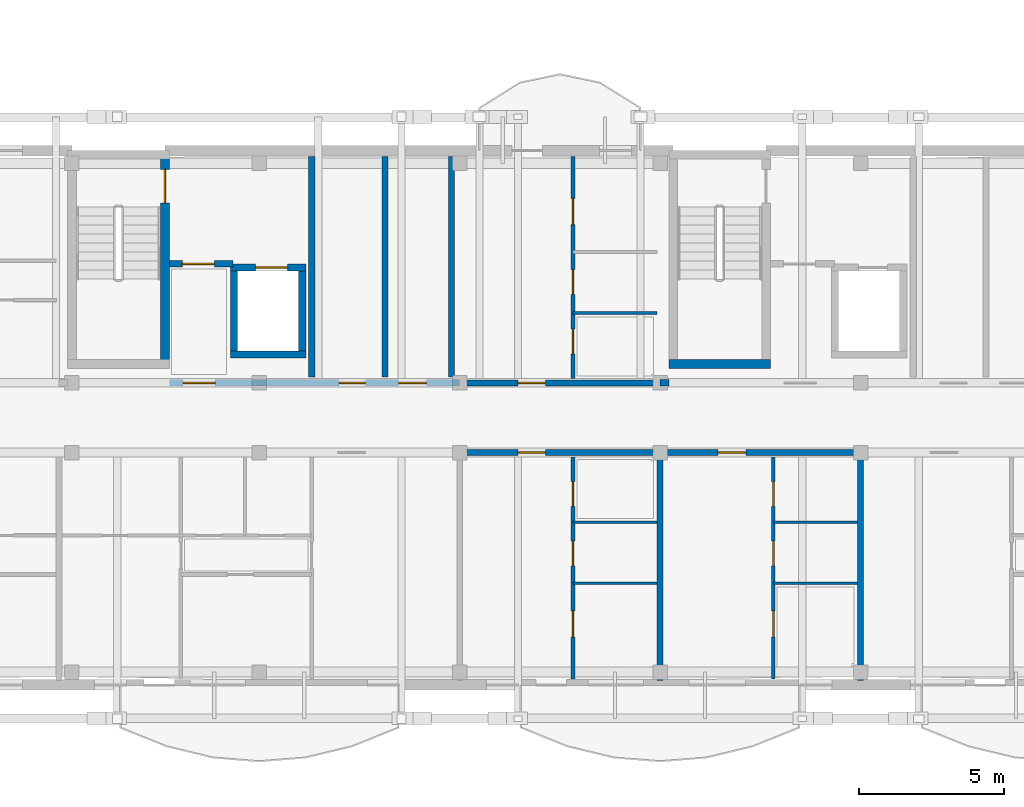
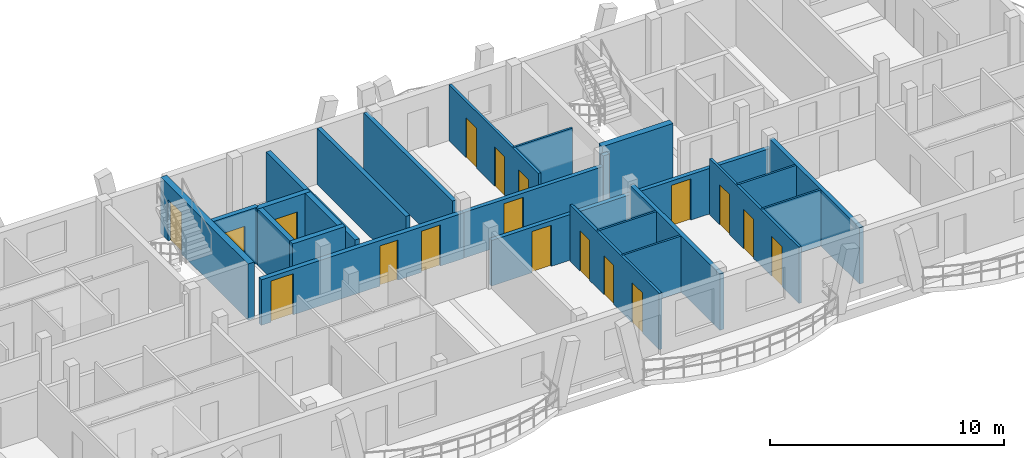
# One storey, part 31 of 50: 25 walls, 18 doors, 18 openings.
"""IFC4 building model written with IfcOpenShell, lengths in metres."""

from ifc_helpers import new_model, si_unit, direction, frame, frame_2d, origin, origin_with_axes, place, context, subcontext, project, spatial, rectangle, extrude, material, layer, layer_set, type_object, element, fill, save


model = new_model("IFC4")

# Units and contexts
model_context = context("Model", 3, precision=1e-05, world=origin(), true_north=direction((0.0, 1.0)))
body_context = subcontext(model_context, "Body", "Model", "MODEL_VIEW")
ifc_project = project(units=[si_unit("LENGTHUNIT", "METRE"), si_unit("AREAUNIT", "SQUARE_METRE"), si_unit("VOLUMEUNIT", "CUBIC_METRE"), si_unit("PLANEANGLEUNIT", "RADIAN"), si_unit("MASSUNIT", "GRAM", prefix="KILO")], contexts=[model_context])

# Site, building, storey
site_placement = place(None, origin())
site = spatial("IfcSite", under=ifc_project, at=site_placement, CompositionType="ELEMENT")
building_placement = place(site_placement, origin())
building = spatial("IfcBuilding", under=site, at=building_placement, Name="Zavelmont Quarter", CompositionType="ELEMENT")
storey_placement = place(building_placement, frame((0.0, 0.0, 11.199951171875)))
storey = spatial("IfcBuildingStorey", under=building, at=storey_placement, Name="L03", CompositionType="ELEMENT", Elevation=11.199951171875)

# Walls
ifc_material_1 = material(Name="Calcium-silicate blockwork and acoustic plaster", Category="masonry")
ifc_layer_1 = layer(ifc_material_1, 0.199951171875)
ifc_layer_set_1 = layer_set([ifc_layer_1], Name="Calcium-silicate blockwork and acoustic plaster")
wall_type_1 = type_object("IfcWallType", Name="IW01", PredefinedType="PARTITIONING", material=ifc_layer_set_1)
for number, where, z_axis, x_axis, name in (
    (1, (137.824951171875, 10.60009765625, 0.0), (0.0, 0.0, 1.0), (0.0, 1.0, 0.0), "L03 Service riser divider wall IW01"),
    (2, (140.1201171875, 10.60009765625, 0.0), (0.0, 0.0, 1.0), (0.0, 1.0, 0.0), "L03 Core service end wall IW01"),
):
    element("IfcWall", number, at=place(storey_placement, frame(where, z_axis=z_axis, x_axis=x_axis)), inside=storey, type_object=wall_type_1, Name=name, PredefinedType="PARTITIONING", context=body_context, shape_type="SweptSolid", body=[
        extrude(rectangle(XDim=7.599853515625, YDim=0.199951171875, at=frame_2d((3.7998046875, 0.0))), origin(), (0.0, 0.0, 1.0), 2.93994140625),
    ])
wall_1_placement = place(storey_placement, frame((147.300048828125, 7.85009765625, 0.0), z_axis=(0.0, 0.0, 1.0), x_axis=(0.0, -1.0, 0.0)))
element("IfcWall", 3, at=wall_1_placement, inside=storey, type_object=wall_type_1, Name="L03 Inter-dwelling compartment wall IW01", PredefinedType="PARTITIONING", context=body_context, shape_type="SweptSolid", body=[
    extrude(rectangle(XDim=7.7001953125, YDim=0.199951171875, at=frame_2d((3.85009765625, 0.0))), origin(), (0.0, 0.0, 1.0), 2.93994140625),
])

# Wall, opening, door
wall_2_placement = place(storey_placement, frame((140.39990234375, 8.0, 0.0), z_axis=(0.0, 0.0, 1.0), x_axis=(1.0, 0.0, 0.0)))
wall_2 = element("IfcWall", 4, at=wall_2_placement, inside=storey, type_object=wall_type_1, Name="L03 Corridor compartment wall IW01", PredefinedType="PARTITIONING", context=body_context, shape_type="SweptSolid", body=[
    extrude(rectangle(XDim=6.900146484375, YDim=0.199951171875, at=frame_2d((3.4501953125, 0.0))), origin(), (0.0, 0.0, 1.0), 2.380126953125),
])
opening_1_placement = place(wall_2_placement, frame((2.0, 0.0, 0.0)))
opening_1 = element("IfcOpeningElement", 5, at=opening_1_placement, cuts=wall_2, Name="Opening DR02", PredefinedType="OPENING", context=body_context, shape_type="SweptSolid", body=[
    extrude(rectangle(XDim=0.949951171875, YDim=2.14990234375, at=frame_2d((0.47509765625, 1.074951171875))), frame((0.0, 0.11181640625, 0.0), z_axis=(0.0, -1.0, 0.0), x_axis=(1.0, 0.0, 0.0)), (0.0, 0.0, 1.0), 0.223876953125),
])
ifc_material_2 = material(Name="Solid-core oak fire leaf in steel frame", Category="steel")
door_type_1 = type_object("IfcDoorType", Name="DR02", OperationType="NOTDEFINED", PredefinedType="DOOR", material=ifc_material_2)
door_1_placement = place(opening_1_placement, frame((0.949951171875, 0.0, 0.0), z_axis=(0.0, 0.0, 1.0), x_axis=(-1.0, 0.0, 0.0)))
door_1 = element("IfcDoor", 6, at=door_1_placement, inside=storey, type_object=door_type_1, Name="L03 door DR02", OperationType="SINGLE_SWING_RIGHT", OverallHeight=2.14990234375, OverallWidth=0.949951171875, PredefinedType="DOOR", context=body_context, shape_type="SweptSolid", body=[
    extrude(rectangle(XDim=0.949951171875, YDim=2.14990234375, at=frame_2d((0.47509765625, 1.074951171875))), frame((0.0, 0.02490234375, 0.0), z_axis=(0.0, -1.0, 0.0), x_axis=(1.0, 0.0, 0.0)), (0.0, 0.0, 1.0), 0.050048828125),
])
fill(opening_1, door_1)

# Wall
wall_3_placement = place(storey_placement, frame((154.199951171875, 7.85009765625, 0.0), z_axis=(0.0, 0.0, 1.0), x_axis=(0.0, -1.0, 0.0)))
element("IfcWall", 7, at=wall_3_placement, inside=storey, type_object=wall_type_1, Name="L03 Inter-dwelling compartment wall IW01", PredefinedType="PARTITIONING", context=body_context, shape_type="SweptSolid", body=[
    extrude(rectangle(XDim=7.7001953125, YDim=0.199951171875, at=frame_2d((3.85009765625, 0.0))), origin(), (0.0, 0.0, 1.0), 2.93994140625),
])

# Wall, opening, door
wall_4_placement = place(storey_placement, frame((147.300048828125, 8.0, 0.0), z_axis=(0.0, 0.0, 1.0), x_axis=(1.0, 0.0, 0.0)))
wall_4 = element("IfcWall", 8, at=wall_4_placement, inside=storey, type_object=wall_type_1, Name="L03 Corridor compartment wall IW01", PredefinedType="PARTITIONING", context=body_context, shape_type="SweptSolid", body=[
    extrude(rectangle(XDim=6.89990234375, YDim=0.199951171875, at=frame_2d((3.449951171875, 0.0))), origin(), (0.0, 0.0, 1.0), 2.380126953125),
])
opening_2_placement = place(wall_4_placement, frame((2.0, 0.0, 0.0)))
opening_2 = element("IfcOpeningElement", 9, at=opening_2_placement, cuts=wall_4, Name="Opening DR02", PredefinedType="OPENING", context=body_context, shape_type="SweptSolid", body=[
    extrude(rectangle(XDim=0.949951171875, YDim=2.14990234375, at=frame_2d((0.47509765625, 1.074951171875))), frame((0.0, 0.11181640625, 0.0), z_axis=(0.0, -1.0, 0.0), x_axis=(1.0, 0.0, 0.0)), (0.0, 0.0, 1.0), 0.223876953125),
])
door_2_placement = place(opening_2_placement, frame((0.949951171875, 0.0, 0.0), z_axis=(0.0, 0.0, 1.0), x_axis=(-1.0, 0.0, 0.0)))
door_2 = element("IfcDoor", 10, at=door_2_placement, inside=storey, type_object=door_type_1, Name="L03 door DR02", OperationType="SINGLE_SWING_LEFT", OverallHeight=2.14990234375, OverallWidth=0.949951171875, PredefinedType="DOOR", context=body_context, shape_type="SweptSolid", body=[
    extrude(rectangle(XDim=0.949951171875, YDim=2.14990234375, at=frame_2d((0.47509765625, 1.074951171875))), frame((0.0, 0.02490234375, 0.0), z_axis=(0.0, -1.0, 0.0), x_axis=(1.0, 0.0, 0.0)), (0.0, 0.0, 1.0), 0.050048828125),
])
fill(opening_2, door_2)

wall_5_placement = place(storey_placement, frame((140.39990234375, 10.39990234375, 0.0), z_axis=(0.0, 0.0, 1.0), x_axis=(1.0, 0.0, 0.0)))
wall_5 = element("IfcWall", 11, at=wall_5_placement, inside=storey, type_object=wall_type_1, Name="L03 Corridor compartment wall IW01", PredefinedType="PARTITIONING", context=body_context, shape_type="SweptSolid", body=[
    extrude(rectangle(XDim=6.900146484375, YDim=0.199951171875, at=frame_2d((3.4501953125, 0.0))), origin(), (0.0, 0.0, 1.0), 2.380126953125),
])
opening_3_placement = place(wall_5_placement, frame((2.0, 0.0, 0.0)))
opening_3 = element("IfcOpeningElement", 12, at=opening_3_placement, cuts=wall_5, Name="Opening DR02", PredefinedType="OPENING", context=body_context, shape_type="SweptSolid", body=[
    extrude(rectangle(XDim=0.949951171875, YDim=2.14990234375, at=frame_2d((0.47509765625, 1.074951171875))), frame((0.0, 0.11181640625, 0.0), z_axis=(0.0, -1.0, 0.0), x_axis=(1.0, 0.0, 0.0)), (0.0, 0.0, 1.0), 0.223876953125),
])
door_3_placement = place(opening_3_placement, origin_with_axes())
door_3 = element("IfcDoor", 13, at=door_3_placement, inside=storey, type_object=door_type_1, Name="L03 door DR02", OperationType="SINGLE_SWING_RIGHT", OverallHeight=2.14990234375, OverallWidth=0.949951171875, PredefinedType="DOOR", context=body_context, shape_type="SweptSolid", body=[
    extrude(rectangle(XDim=0.949951171875, YDim=2.14990234375, at=frame_2d((0.47509765625, 1.074951171875))), frame((0.0, 0.02490234375, 0.0), z_axis=(0.0, -1.0, 0.0), x_axis=(1.0, 0.0, 0.0)), (0.0, 0.0, 1.0), 0.050048828125),
])
fill(opening_3, door_3)

# Wall
ifc_material_3 = material(Name="Reinforced masonry fire compartment wall", Category="masonry")
ifc_layer_2 = layer(ifc_material_3, 0.22509765625)
ifc_layer_set_2 = layer_set([ifc_layer_2], Name="Reinforced masonry fire compartment wall")
wall_type_2 = type_object("IfcWallType", Name="IW02", PredefinedType="PARTITIONING", material=ifc_layer_set_2)
wall_6_placement = place(storey_placement, frame((135.31005859375, 10.60009765625, 0.0), z_axis=(0.0, 0.0, 1.0), x_axis=(0.0, 1.0, 0.0)))
element("IfcWall", 14, at=wall_6_placement, inside=storey, type_object=wall_type_2, Name="L03 Firefighting lobby enclosure wall IW02", PredefinedType="PARTITIONING", context=body_context, shape_type="SweptSolid", body=[
    extrude(rectangle(XDim=7.599853515625, YDim=0.22509765625, at=frame_2d((3.7998046875, 0.0))), origin(), (0.0, 0.0, 1.0), 2.590087890625),
])

# Wall, opening, door
wall_7_placement = place(storey_placement, frame((130.39990234375, 14.5, 0.0), z_axis=(0.0, 0.0, 1.0), x_axis=(1.0, 0.0, 0.0)))
wall_7 = element("IfcWall", 15, at=wall_7_placement, inside=storey, type_object=wall_type_2, Name="L03 Firefighting lobby threshold wall IW02", PredefinedType="PARTITIONING", context=body_context, shape_type="SweptSolid", body=[
    extrude(rectangle(XDim=2.2001953125, YDim=0.22509765625, at=frame_2d((1.10009765625, 0.0))), origin(), (0.0, 0.0, 1.0), 2.93994140625),
])
opening_4_placement = place(wall_7_placement, frame((0.449951171875, 0.0, 0.0)))
opening_4 = element("IfcOpeningElement", 16, at=opening_4_placement, cuts=wall_7, Name="Opening DR10", PredefinedType="OPENING", context=body_context, shape_type="SweptSolid", body=[
    extrude(rectangle(XDim=1.10009765625, YDim=2.14990234375, at=frame_2d((0.550048828125, 1.074951171875))), frame((0.0, 0.12451171875, 0.0), z_axis=(0.0, -1.0, 0.0), x_axis=(1.0, 0.0, 0.0)), (0.0, 0.0, 1.0), 0.2490234375),
])
ifc_material_4 = material(Name="Painted steel lobby fire door", Category="steel")
door_type_2 = type_object("IfcDoorType", Name="DR10", OperationType="NOTDEFINED", PredefinedType="DOOR", material=ifc_material_4)
door_4_placement = place(opening_4_placement, origin_with_axes())
door_4 = element("IfcDoor", 17, at=door_4_placement, inside=storey, type_object=door_type_2, Name="Firefighting lobby fire door", OperationType="SINGLE_SWING_LEFT", OverallHeight=2.14990234375, OverallWidth=1.10009765625, PredefinedType="DOOR", context=body_context, shape_type="SweptSolid", body=[
    extrude(rectangle(XDim=1.10009765625, YDim=2.14990234375, at=frame_2d((0.550048828125, 1.074951171875))), frame((0.0, 0.02490234375, 0.0), z_axis=(0.0, -1.0, 0.0), x_axis=(1.0, 0.0, 0.0)), (0.0, 0.0, 1.0), 0.050048828125),
])
fill(opening_4, door_4)

# Wall, openings, doors
wall_8_placement = place(storey_placement, frame((130.39990234375, 10.39990234375, 0.0), z_axis=(0.0, 0.0, 1.0), x_axis=(1.0, 0.0, 0.0)))
wall_8 = element("IfcWall", 18, at=wall_8_placement, inside=storey, type_object=wall_type_2, Name="L03 Core corridor fire wall IW02", PredefinedType="PARTITIONING", context=body_context, shape_type="SweptSolid", body=[
    extrude(rectangle(XDim=10.0, YDim=0.22509765625, at=frame_2d((5.0, 0.0))), origin(), (0.0, 0.0, 1.0), 2.380126953125),
])
opening_5_placement = place(wall_8_placement, frame((0.47509765625, 0.0, 0.0)))
opening_5 = element("IfcOpeningElement", 19, at=opening_5_placement, cuts=wall_8, Name="Opening DR10", PredefinedType="OPENING", context=body_context, shape_type="SweptSolid", body=[
    extrude(rectangle(XDim=1.10009765625, YDim=2.14990234375, at=frame_2d((0.550048828125, 1.074951171875))), frame((0.0, 0.12451171875, 0.0), z_axis=(0.0, -1.0, 0.0), x_axis=(1.0, 0.0, 0.0)), (0.0, 0.0, 1.0), 0.2490234375),
])
opening_6_placement = place(wall_8_placement, frame((5.85009765625, 0.0, 0.0)))
opening_6 = element("IfcOpeningElement", 20, at=opening_6_placement, cuts=wall_8, Name="Opening DR11", PredefinedType="OPENING", context=body_context, shape_type="SweptSolid", body=[
    extrude(rectangle(XDim=0.89990234375, YDim=2.10009765625, at=frame_2d((0.449951171875, 1.050048828125))), frame((0.0, 0.12451171875, 0.0), z_axis=(0.0, -1.0, 0.0), x_axis=(1.0, 0.0, 0.0)), (0.0, 0.0, 1.0), 0.2490234375),
])
opening_7_placement = place(wall_8_placement, frame((7.89990234375, 0.0, 0.0)))
opening_7 = element("IfcOpeningElement", 21, at=opening_7_placement, cuts=wall_8, Name="Opening DR02", PredefinedType="OPENING", context=body_context, shape_type="SweptSolid", body=[
    extrude(rectangle(XDim=0.949951171875, YDim=2.14990234375, at=frame_2d((0.47509765625, 1.074951171875))), frame((0.0, 0.12451171875, 0.0), z_axis=(0.0, -1.0, 0.0), x_axis=(1.0, 0.0, 0.0)), (0.0, 0.0, 1.0), 0.2490234375),
])
door_5_placement = place(opening_7_placement, frame((0.949951171875, 0.0, 0.0), z_axis=(0.0, 0.0, 1.0), x_axis=(-1.0, 0.0, 0.0)))
door_5 = element("IfcDoor", 22, at=door_5_placement, inside=storey, type_object=door_type_1, Name="Auxiliary store corridor door", OperationType="SINGLE_SWING_RIGHT", OverallHeight=2.14990234375, OverallWidth=0.949951171875, PredefinedType="DOOR", context=body_context, shape_type="SweptSolid", body=[
    extrude(rectangle(XDim=0.949951171875, YDim=2.14990234375, at=frame_2d((0.47509765625, 1.074951171875))), frame((0.0, 0.02490234375, 0.0), z_axis=(0.0, -1.0, 0.0), x_axis=(1.0, 0.0, 0.0)), (0.0, 0.0, 1.0), 0.050048828125),
])
fill(opening_7, door_5)
door_6_placement = place(opening_5_placement, origin_with_axes())
door_6 = element("IfcDoor", 23, at=door_6_placement, inside=storey, type_object=door_type_2, Name="Core vestibule fire door", OperationType="SINGLE_SWING_RIGHT", OverallHeight=2.14990234375, OverallWidth=1.10009765625, PredefinedType="DOOR", context=body_context, shape_type="SweptSolid", body=[
    extrude(rectangle(XDim=1.10009765625, YDim=2.14990234375, at=frame_2d((0.550048828125, 1.074951171875))), frame((0.0, 0.02490234375, 0.0), z_axis=(0.0, -1.0, 0.0), x_axis=(1.0, 0.0, 0.0)), (0.0, 0.0, 1.0), 0.050048828125),
])
fill(opening_5, door_6)
ifc_material_5 = material(Name="Painted steel service-riser fire door", Category="steel")
door_type_3 = type_object("IfcDoorType", Name="DR11", OperationType="NOTDEFINED", PredefinedType="DOOR", material=ifc_material_5)
door_7_placement = place(opening_6_placement, frame((0.89990234375, 0.0, 0.0), z_axis=(0.0, 0.0, 1.0), x_axis=(-1.0, 0.0, 0.0)))
door_7 = element("IfcDoor", 24, at=door_7_placement, inside=storey, type_object=door_type_3, Name="Service riser fire door", OperationType="SINGLE_SWING_LEFT", OverallHeight=2.10009765625, OverallWidth=0.89990234375, PredefinedType="DOOR", context=body_context, shape_type="SweptSolid", body=[
    extrude(rectangle(XDim=0.89990234375, YDim=2.10009765625, at=frame_2d((0.449951171875, 1.050048828125))), frame((0.0, 0.02490234375, 0.0), z_axis=(0.0, -1.0, 0.0), x_axis=(1.0, 0.0, 0.0)), (0.0, 0.0, 1.0), 0.050048828125),
])
fill(opening_6, door_7)

# Wall
wall_9_placement = place(storey_placement, frame((147.300048828125, 10.39990234375, 0.0), z_axis=(0.0, 0.0, 1.0), x_axis=(1.0, 0.0, 0.0)))
element("IfcWall", 25, at=wall_9_placement, inside=storey, type_object=wall_type_2, Name="L03 Core corridor wall IW02", PredefinedType="PARTITIONING", context=body_context, shape_type="SweptSolid", body=[
    extrude(rectangle(XDim=0.300048828125, YDim=0.22509765625, at=frame_2d((0.14990234375, 0.0))), origin(), (0.0, 0.0, 1.0), 2.93994140625),
])

# Wall, openings, doors
ifc_material_6 = material(Name="Double gypsum board on acoustic steel stud", Category="steel")
ifc_layer_3 = layer(ifc_material_6, 0.125)
ifc_layer_set_3 = layer_set([ifc_layer_3], Name="Double gypsum board on acoustic steel stud")
wall_type_3 = type_object("IfcWallType", Name="IW03", PredefinedType="PARTITIONING", material=ifc_layer_set_3)
wall_10_placement = place(storey_placement, frame((144.300048828125, 7.85009765625, 0.0), z_axis=(0.0, 0.0, 1.0), x_axis=(0.0, -1.0, 0.0)))
wall_10 = element("IfcWall", 26, at=wall_10_placement, inside=storey, type_object=wall_type_3, Name="L03 Partition IW03", PredefinedType="PARTITIONING", context=body_context, shape_type="SweptSolid", body=[
    extrude(rectangle(XDim=7.650146484375, YDim=0.125, at=frame_2d((3.8251953125, 0.0))), origin(), (0.0, 0.0, 1.0), 2.93994140625),
])
opening_8_placement = place(wall_10_placement, frame((0.85009765625, 0.0, 0.0)))
opening_8 = element("IfcOpeningElement", 27, at=opening_8_placement, cuts=wall_10, Name="Opening DR16", PredefinedType="OPENING", context=body_context, shape_type="SweptSolid", body=[
    extrude(rectangle(XDim=0.85009765625, YDim=2.10009765625, at=frame_2d((0.425048828125, 1.050048828125))), frame((0.0, 0.074462890625, 0.0), z_axis=(0.0, -1.0, 0.0), x_axis=(1.0, 0.0, 0.0)), (0.0, 0.0, 1.0), 0.14892578125),
])
opening_9_placement = place(wall_10_placement, frame((2.89990234375, 0.0, 0.0)))
opening_9 = element("IfcOpeningElement", 28, at=opening_9_placement, cuts=wall_10, Name="Opening DR06", PredefinedType="OPENING", context=body_context, shape_type="SweptSolid", body=[
    extrude(rectangle(XDim=0.85009765625, YDim=2.050048828125, at=frame_2d((0.425048828125, 1.02490234375))), frame((0.0, 0.074462890625, 0.0), z_axis=(0.0, -1.0, 0.0), x_axis=(1.0, 0.0, 0.0)), (0.0, 0.0, 1.0), 0.14892578125),
])
opening_10_placement = place(wall_10_placement, frame((5.300048828125, 0.0, 0.0)))
opening_10 = element("IfcOpeningElement", 29, at=opening_10_placement, cuts=wall_10, Name="Opening DR05", PredefinedType="OPENING", context=body_context, shape_type="SweptSolid", body=[
    extrude(rectangle(XDim=0.89990234375, YDim=2.10009765625, at=frame_2d((0.449951171875, 1.050048828125))), frame((0.0, 0.074462890625, 0.0), z_axis=(0.0, -1.0, 0.0), x_axis=(1.0, 0.0, 0.0)), (0.0, 0.0, 1.0), 0.14892578125),
])
ifc_material_7 = material(Name="Engineered oak flush interior door")
door_type_4 = type_object("IfcDoorType", Name="DR05", OperationType="NOTDEFINED", PredefinedType="DOOR", material=ifc_material_7)
door_8_placement = place(opening_10_placement, origin_with_axes())
door_8 = element("IfcDoor", 30, at=door_8_placement, inside=storey, type_object=door_type_4, Name="L03 door DR05", OperationType="SINGLE_SWING_RIGHT", OverallHeight=2.10009765625, OverallWidth=0.89990234375, PredefinedType="DOOR", context=body_context, shape_type="SweptSolid", body=[
    extrude(rectangle(XDim=0.89990234375, YDim=2.10009765625, at=frame_2d((0.449951171875, 1.050048828125))), frame((0.0, 0.02490234375, 0.0), z_axis=(0.0, -1.0, 0.0), x_axis=(1.0, 0.0, 0.0)), (0.0, 0.0, 1.0), 0.050048828125),
])
fill(opening_10, door_8)
ifc_material_8 = material(Name="Moisture-resistant painted wet-room door")
door_type_5 = type_object("IfcDoorType", Name="DR06", OperationType="NOTDEFINED", PredefinedType="DOOR", material=ifc_material_8)
door_9_placement = place(opening_9_placement, frame((0.85009765625, 0.0, 0.0), z_axis=(0.0, 0.0, 1.0), x_axis=(-1.0, 0.0, 0.0)))
door_9 = element("IfcDoor", 31, at=door_9_placement, inside=storey, type_object=door_type_5, Name="L03 door DR06", OperationType="SINGLE_SWING_LEFT", OverallHeight=2.050048828125, OverallWidth=0.85009765625, PredefinedType="DOOR", context=body_context, shape_type="SweptSolid", body=[
    extrude(rectangle(XDim=0.85009765625, YDim=2.050048828125, at=frame_2d((0.425048828125, 1.02490234375))), frame((0.0, 0.02490234375, 0.0), z_axis=(0.0, -1.0, 0.0), x_axis=(1.0, 0.0, 0.0)), (0.0, 0.0, 1.0), 0.050048828125),
])
fill(opening_9, door_9)
door_type_6 = type_object("IfcDoorType", Name="DR16", OperationType="NOTDEFINED", PredefinedType="DOOR", material=ifc_material_7)
door_10_placement = place(opening_8_placement, origin_with_axes())
door_10 = element("IfcDoor", 32, at=door_10_placement, inside=storey, type_object=door_type_6, Name="L03 door DR16", OperationType="SINGLE_SWING_RIGHT", OverallHeight=2.10009765625, OverallWidth=0.85009765625, PredefinedType="DOOR", context=body_context, shape_type="SweptSolid", body=[
    extrude(rectangle(XDim=0.85009765625, YDim=2.10009765625, at=frame_2d((0.425048828125, 1.050048828125))), frame((0.0, 0.02490234375, 0.0), z_axis=(0.0, -1.0, 0.0), x_axis=(1.0, 0.0, 0.0)), (0.0, 0.0, 1.0), 0.050048828125),
])
fill(opening_8, door_10)

wall_11_placement = place(storey_placement, frame((151.199951171875, 7.85009765625, 0.0), z_axis=(0.0, 0.0, 1.0), x_axis=(0.0, -1.0, 0.0)))
wall_11 = element("IfcWall", 33, at=wall_11_placement, inside=storey, type_object=wall_type_3, Name="L03 Partition IW03", PredefinedType="PARTITIONING", context=body_context, shape_type="SweptSolid", body=[
    extrude(rectangle(XDim=7.650146484375, YDim=0.125, at=frame_2d((3.8251953125, 0.0))), origin(), (0.0, 0.0, 1.0), 2.93994140625),
])
opening_11_placement = place(wall_11_placement, frame((0.85009765625, 0.0, 0.0)))
opening_11 = element("IfcOpeningElement", 34, at=opening_11_placement, cuts=wall_11, Name="Opening DR16", PredefinedType="OPENING", context=body_context, shape_type="SweptSolid", body=[
    extrude(rectangle(XDim=0.85009765625, YDim=2.10009765625, at=frame_2d((0.425048828125, 1.050048828125))), frame((0.0, 0.074462890625, 0.0), z_axis=(0.0, -1.0, 0.0), x_axis=(1.0, 0.0, 0.0)), (0.0, 0.0, 1.0), 0.14892578125),
])
opening_12_placement = place(wall_11_placement, frame((2.89990234375, 0.0, 0.0)))
opening_12 = element("IfcOpeningElement", 35, at=opening_12_placement, cuts=wall_11, Name="Opening DR06", PredefinedType="OPENING", context=body_context, shape_type="SweptSolid", body=[
    extrude(rectangle(XDim=0.85009765625, YDim=2.050048828125, at=frame_2d((0.425048828125, 1.02490234375))), frame((0.0, 0.074462890625, 0.0), z_axis=(0.0, -1.0, 0.0), x_axis=(1.0, 0.0, 0.0)), (0.0, 0.0, 1.0), 0.14892578125),
])
opening_13_placement = place(wall_11_placement, frame((5.300048828125, 0.0, 0.0)))
opening_13 = element("IfcOpeningElement", 36, at=opening_13_placement, cuts=wall_11, Name="Opening DR05", PredefinedType="OPENING", context=body_context, shape_type="SweptSolid", body=[
    extrude(rectangle(XDim=0.89990234375, YDim=2.10009765625, at=frame_2d((0.449951171875, 1.050048828125))), frame((0.0, 0.074462890625, 0.0), z_axis=(0.0, -1.0, 0.0), x_axis=(1.0, 0.0, 0.0)), (0.0, 0.0, 1.0), 0.14892578125),
])
door_11_placement = place(opening_13_placement, origin_with_axes())
door_11 = element("IfcDoor", 37, at=door_11_placement, inside=storey, type_object=door_type_4, Name="L03 door DR05", OperationType="SINGLE_SWING_LEFT", OverallHeight=2.10009765625, OverallWidth=0.89990234375, PredefinedType="DOOR", context=body_context, shape_type="SweptSolid", body=[
    extrude(rectangle(XDim=0.89990234375, YDim=2.10009765625, at=frame_2d((0.449951171875, 1.050048828125))), frame((0.0, 0.02490234375, 0.0), z_axis=(0.0, -1.0, 0.0), x_axis=(1.0, 0.0, 0.0)), (0.0, 0.0, 1.0), 0.050048828125),
])
fill(opening_13, door_11)
door_12_placement = place(opening_12_placement, frame((0.85009765625, 0.0, 0.0), z_axis=(0.0, 0.0, 1.0), x_axis=(-1.0, 0.0, 0.0)))
door_12 = element("IfcDoor", 38, at=door_12_placement, inside=storey, type_object=door_type_5, Name="L03 door DR06", OperationType="SINGLE_SWING_RIGHT", OverallHeight=2.050048828125, OverallWidth=0.85009765625, PredefinedType="DOOR", context=body_context, shape_type="SweptSolid", body=[
    extrude(rectangle(XDim=0.85009765625, YDim=2.050048828125, at=frame_2d((0.425048828125, 1.02490234375))), frame((0.0, 0.02490234375, 0.0), z_axis=(0.0, -1.0, 0.0), x_axis=(1.0, 0.0, 0.0)), (0.0, 0.0, 1.0), 0.050048828125),
])
fill(opening_12, door_12)
door_13_placement = place(opening_11_placement, origin_with_axes())
door_13 = element("IfcDoor", 39, at=door_13_placement, inside=storey, type_object=door_type_6, Name="L03 door DR16", OperationType="SINGLE_SWING_LEFT", OverallHeight=2.10009765625, OverallWidth=0.85009765625, PredefinedType="DOOR", context=body_context, shape_type="SweptSolid", body=[
    extrude(rectangle(XDim=0.85009765625, YDim=2.10009765625, at=frame_2d((0.425048828125, 1.050048828125))), frame((0.0, 0.02490234375, 0.0), z_axis=(0.0, -1.0, 0.0), x_axis=(1.0, 0.0, 0.0)), (0.0, 0.0, 1.0), 0.050048828125),
])
fill(opening_11, door_13)

wall_12_placement = place(storey_placement, frame((144.300048828125, 10.550048828125, 0.0), z_axis=(0.0, 0.0, 1.0), x_axis=(0.0, 1.0, 0.0)))
wall_12 = element("IfcWall", 40, at=wall_12_placement, inside=storey, type_object=wall_type_3, Name="L03 Partition IW03", PredefinedType="PARTITIONING", context=body_context, shape_type="SweptSolid", body=[
    extrude(rectangle(XDim=7.64990234375, YDim=0.125, at=frame_2d((3.824951171875, 0.0))), origin(), (0.0, 0.0, 1.0), 2.93994140625),
])
opening_14_placement = place(wall_12_placement, frame((0.85009765625, 0.0, 0.0)))
opening_14 = element("IfcOpeningElement", 41, at=opening_14_placement, cuts=wall_12, Name="Opening DR16", PredefinedType="OPENING", context=body_context, shape_type="SweptSolid", body=[
    extrude(rectangle(XDim=0.85009765625, YDim=2.10009765625, at=frame_2d((0.425048828125, 1.050048828125))), frame((0.0, 0.074462890625, 0.0), z_axis=(0.0, -1.0, 0.0), x_axis=(1.0, 0.0, 0.0)), (0.0, 0.0, 1.0), 0.14892578125),
])
opening_15_placement = place(wall_12_placement, frame((2.89990234375, 0.0, 0.0)))
opening_15 = element("IfcOpeningElement", 42, at=opening_15_placement, cuts=wall_12, Name="Opening DR06", PredefinedType="OPENING", context=body_context, shape_type="SweptSolid", body=[
    extrude(rectangle(XDim=0.85009765625, YDim=2.050048828125, at=frame_2d((0.425048828125, 1.02490234375))), frame((0.0, 0.074462890625, 0.0), z_axis=(0.0, -1.0, 0.0), x_axis=(1.0, 0.0, 0.0)), (0.0, 0.0, 1.0), 0.14892578125),
])
opening_16_placement = place(wall_12_placement, frame((5.300048828125, 0.0, 0.0)))
opening_16 = element("IfcOpeningElement", 43, at=opening_16_placement, cuts=wall_12, Name="Opening DR05", PredefinedType="OPENING", context=body_context, shape_type="SweptSolid", body=[
    extrude(rectangle(XDim=0.89990234375, YDim=2.10009765625, at=frame_2d((0.449951171875, 1.050048828125))), frame((0.0, 0.074462890625, 0.0), z_axis=(0.0, -1.0, 0.0), x_axis=(1.0, 0.0, 0.0)), (0.0, 0.0, 1.0), 0.14892578125),
])
door_14_placement = place(opening_16_placement, origin_with_axes())
door_14 = element("IfcDoor", 44, at=door_14_placement, inside=storey, type_object=door_type_4, Name="L03 door DR05", OperationType="SINGLE_SWING_RIGHT", OverallHeight=2.10009765625, OverallWidth=0.89990234375, PredefinedType="DOOR", context=body_context, shape_type="SweptSolid", body=[
    extrude(rectangle(XDim=0.89990234375, YDim=2.10009765625, at=frame_2d((0.449951171875, 1.050048828125))), frame((0.0, 0.02490234375, 0.0), z_axis=(0.0, -1.0, 0.0), x_axis=(1.0, 0.0, 0.0)), (0.0, 0.0, 1.0), 0.050048828125),
])
fill(opening_16, door_14)
door_15_placement = place(opening_15_placement, frame((0.85009765625, 0.0, 0.0), z_axis=(0.0, 0.0, 1.0), x_axis=(-1.0, 0.0, 0.0)))
door_15 = element("IfcDoor", 45, at=door_15_placement, inside=storey, type_object=door_type_5, Name="L03 door DR06", OperationType="SINGLE_SWING_LEFT", OverallHeight=2.050048828125, OverallWidth=0.85009765625, PredefinedType="DOOR", context=body_context, shape_type="SweptSolid", body=[
    extrude(rectangle(XDim=0.85009765625, YDim=2.050048828125, at=frame_2d((0.425048828125, 1.02490234375))), frame((0.0, 0.02490234375, 0.0), z_axis=(0.0, -1.0, 0.0), x_axis=(1.0, 0.0, 0.0)), (0.0, 0.0, 1.0), 0.050048828125),
])
fill(opening_15, door_15)
door_16_placement = place(opening_14_placement, origin_with_axes())
door_16 = element("IfcDoor", 46, at=door_16_placement, inside=storey, type_object=door_type_6, Name="L03 door DR16", OperationType="SINGLE_SWING_RIGHT", OverallHeight=2.10009765625, OverallWidth=0.85009765625, PredefinedType="DOOR", context=body_context, shape_type="SweptSolid", body=[
    extrude(rectangle(XDim=0.85009765625, YDim=2.10009765625, at=frame_2d((0.425048828125, 1.050048828125))), frame((0.0, 0.02490234375, 0.0), z_axis=(0.0, -1.0, 0.0), x_axis=(1.0, 0.0, 0.0)), (0.0, 0.0, 1.0), 0.050048828125),
])
fill(opening_14, door_16)

# Walls
ifc_material_9 = material(Name="Moisture-resistant gypsum board on steel stud", Category="steel")
ifc_layer_4 = layer(ifc_material_9, 0.10009765625)
ifc_layer_set_4 = layer_set([ifc_layer_4], Name="Moisture-resistant gypsum board on steel stud")
wall_type_4 = type_object("IfcWallType", Name="IW04", PredefinedType="PARTITIONING", material=ifc_layer_set_4)
for number, where, z_axis, x_axis, name in (
    (47, (144.300048828125, 5.60009765625, 0.0), (0.0, 0.0, 1.0), (1.0, 0.0, 0.0), "L03 Partition IW04"),
    (48, (144.300048828125, 3.5, 0.0), (0.0, 0.0, 1.0), (1.0, 0.0, 0.0), "L03 Partition IW04"),
):
    element("IfcWall", number, at=place(storey_placement, frame(where, z_axis=z_axis, x_axis=x_axis)), inside=storey, type_object=wall_type_4, Name=name, PredefinedType="PARTITIONING", context=body_context, shape_type="SweptSolid", body=[
        extrude(rectangle(XDim=2.89990234375, YDim=0.10009765625, at=frame_2d((1.449951171875, 0.0))), origin(), (0.0, 0.0, 1.0), 2.93994140625),
    ])
for number, where, z_axis, x_axis, name in (
    (49, (151.199951171875, 5.60009765625, 0.0), (0.0, 0.0, 1.0), (1.0, 0.0, 0.0), "L03 Partition IW04"),
    (50, (151.199951171875, 3.5, 0.0), (0.0, 0.0, 1.0), (1.0, 0.0, 0.0), "L03 Partition IW04"),
):
    element("IfcWall", number, at=place(storey_placement, frame(where, z_axis=z_axis, x_axis=x_axis)), inside=storey, type_object=wall_type_4, Name=name, PredefinedType="PARTITIONING", context=body_context, shape_type="SweptSolid", body=[
        extrude(rectangle(XDim=2.900146484375, YDim=0.10009765625, at=frame_2d((1.4501953125, 0.0))), origin(), (0.0, 0.0, 1.0), 2.93994140625),
    ])
wall_13_placement = place(storey_placement, frame((144.300048828125, 12.800048828125, 0.0), z_axis=(0.0, 0.0, 1.0), x_axis=(1.0, 0.0, 0.0)))
element("IfcWall", 51, at=wall_13_placement, inside=storey, type_object=wall_type_4, Name="L03 Partition IW04", PredefinedType="PARTITIONING", context=body_context, shape_type="SweptSolid", body=[
    extrude(rectangle(XDim=2.89990234375, YDim=0.10009765625, at=frame_2d((1.449951171875, 0.0))), origin(), (0.0, 0.0, 1.0), 2.93994140625),
])

# Wall, opening, door
ifc_material_10 = material(Name="Concrete C40/50", Category="concrete")
ifc_layer_5 = layer(ifc_material_10, 0.300048828125)
ifc_layer_set_5 = layer_set([ifc_layer_5], Name="Concrete C40/50")
wall_type_5 = type_object("IfcWallType", Name="SW01", PredefinedType="SHEAR", material=ifc_layer_set_5)
wall_14_placement = place(storey_placement, frame((130.25, 10.89990234375, 0.0), z_axis=(0.0, 0.0, 1.0), x_axis=(0.0, 1.0, 0.0)))
wall_14 = element("IfcWall", 52, at=wall_14_placement, inside=storey, type_object=wall_type_5, Name="L03 ST07 lobby shear wall SW01", PredefinedType="SHEAR", context=body_context, shape_type="SweptSolid", body=[
    extrude(rectangle(XDim=7.5, YDim=0.300048828125, at=frame_2d((3.75, 0.0))), origin(), (0.0, 0.0, 1.0), 2.93994140625),
])
opening_17_placement = place(wall_14_placement, frame((5.699951171875, 0.0, 0.0)))
opening_17 = element("IfcOpeningElement", 53, at=opening_17_placement, cuts=wall_14, Name="Opening DR09", PredefinedType="OPENING", context=body_context, shape_type="SweptSolid", body=[
    extrude(rectangle(XDim=1.14990234375, YDim=2.14990234375, at=frame_2d((0.574951171875, 1.074951171875))), frame((0.0, 0.162109375, 0.0), z_axis=(0.0, -1.0, 0.0), x_axis=(1.0, 0.0, 0.0)), (0.0, 0.0, 1.0), 0.323974609375),
])
ifc_material_11 = material(Name="Painted steel stair-core fire door", Category="steel")
door_type_7 = type_object("IfcDoorType", Name="DR09", OperationType="NOTDEFINED", PredefinedType="DOOR", material=ifc_material_11)
door_17_placement = place(opening_17_placement, origin_with_axes())
door_17 = element("IfcDoor", 54, at=door_17_placement, inside=storey, type_object=door_type_7, Name="ST07 protected stair door", OperationType="SINGLE_SWING_LEFT", OverallHeight=2.14990234375, OverallWidth=1.14990234375, PredefinedType="DOOR", context=body_context, shape_type="SweptSolid", body=[
    extrude(rectangle(XDim=1.14990234375, YDim=2.14990234375, at=frame_2d((0.574951171875, 1.074951171875))), frame((0.0, 0.02490234375, 0.0), z_axis=(0.0, -1.0, 0.0), x_axis=(1.0, 0.0, 0.0)), (0.0, 0.0, 1.0), 0.050048828125),
])
fill(opening_17, door_17)

# Wall
wall_15_placement = place(storey_placement, frame((147.60009765625, 11.050048828125, 0.0), z_axis=(0.0, 0.0, 1.0), x_axis=(1.0, 0.0, 0.0)))
element("IfcWall", 55, at=wall_15_placement, inside=storey, type_object=wall_type_5, Name="L03 ST08 corridor shear wall SW01", PredefinedType="SHEAR", context=body_context, shape_type="SweptSolid", body=[
    extrude(rectangle(XDim=3.5, YDim=0.300048828125, at=frame_2d((1.75, 0.0))), origin(), (0.0, 0.0, 1.0), 2.93994140625),
])

# Wall, opening, door
ifc_layer_6 = layer(ifc_material_10, 0.25)
ifc_layer_set_6 = layer_set([ifc_layer_6], Name="Concrete C40/50")
wall_type_6 = type_object("IfcWallType", Name="SW02", PredefinedType="SHEAR", material=ifc_layer_set_6)
wall_16_placement = place(storey_placement, frame((132.5, 14.375, 0.0), z_axis=(0.0, 0.0, 1.0), x_axis=(1.0, 0.0, 0.0)))
wall_16 = element("IfcWall", 56, at=wall_16_placement, inside=storey, type_object=wall_type_6, Name="L03 Lift FL04 landing shaft wall SW02", PredefinedType="SHEAR", context=body_context, shape_type="SweptSolid", body=[
    extrude(rectangle(XDim=2.60009765625, YDim=0.25, at=frame_2d((1.300048828125, 0.0))), origin(), (0.0, 0.0, 1.0), 2.93994140625),
])
opening_18_placement = place(wall_16_placement, frame((0.875, 0.0, 0.0)))
opening_18 = element("IfcOpeningElement", 57, at=opening_18_placement, cuts=wall_16, Name="Opening LD02", PredefinedType="OPENING", context=body_context, shape_type="SweptSolid", body=[
    extrude(rectangle(XDim=1.10009765625, YDim=2.10009765625, at=frame_2d((0.550048828125, 1.050048828125))), frame((0.0, 0.136962890625, 0.0), z_axis=(0.0, -1.0, 0.0), x_axis=(1.0, 0.0, 0.0)), (0.0, 0.0, 1.0), 0.27392578125),
])
ifc_material_12 = material(Name="Brushed stainless-steel firefighting lift landing door", Category="steel")
door_type_8 = type_object("IfcDoorType", Name="LD02", OperationType="SLIDING_TO_LEFT", PredefinedType="DOOR", material=ifc_material_12)
door_18_placement = place(opening_18_placement, origin_with_axes())
door_18 = element("IfcDoor", 58, at=door_18_placement, inside=storey, type_object=door_type_8, Name="Lift FL04 sliding landing door", OperationType="SLIDING_TO_LEFT", OverallHeight=2.10009765625, OverallWidth=1.10009765625, PredefinedType="DOOR", context=body_context, shape_type="SweptSolid", body=[
    extrude(rectangle(XDim=1.10009765625, YDim=2.10009765625, at=frame_2d((0.550048828125, 1.050048828125))), frame((0.0, 0.02490234375, 0.0), z_axis=(0.0, -1.0, 0.0), x_axis=(1.0, 0.0, 0.0)), (0.0, 0.0, 1.0), 0.050048828125),
])
fill(opening_18, door_18)

# Walls
wall_17_placement = place(storey_placement, frame((132.5, 11.375, 0.0), z_axis=(0.0, 0.0, 1.0), x_axis=(1.0, 0.0, 0.0)))
element("IfcWall", 59, at=wall_17_placement, inside=storey, type_object=wall_type_6, Name="L03 Lift FL04 back shaft wall SW02", PredefinedType="SHEAR", context=body_context, shape_type="SweptSolid", body=[
    extrude(rectangle(XDim=2.60009765625, YDim=0.25, at=frame_2d((1.300048828125, 0.0))), origin(), (0.0, 0.0, 1.0), 2.93994140625),
])
for number, where, z_axis, x_axis, name in (
    (60, (132.625, 11.25, 0.0), (0.0, 0.0, 1.0), (0.0, 1.0, 0.0), "L03 Lift FL04 west shaft wall SW02"),
    (61, (134.97509765625, 11.25, 0.0), (0.0, 0.0, 1.0), (0.0, 1.0, 0.0), "L03 Lift FL04 east shaft wall SW02"),
):
    element("IfcWall", number, at=place(storey_placement, frame(where, z_axis=z_axis, x_axis=x_axis)), inside=storey, type_object=wall_type_6, Name=name, PredefinedType="SHEAR", context=body_context, shape_type="SweptSolid", body=[
        extrude(rectangle(XDim=3.25, YDim=0.25, at=frame_2d((1.625, 0.0))), origin(), (0.0, 0.0, 1.0), 2.93994140625),
    ])

save(model, "model.ifc")
